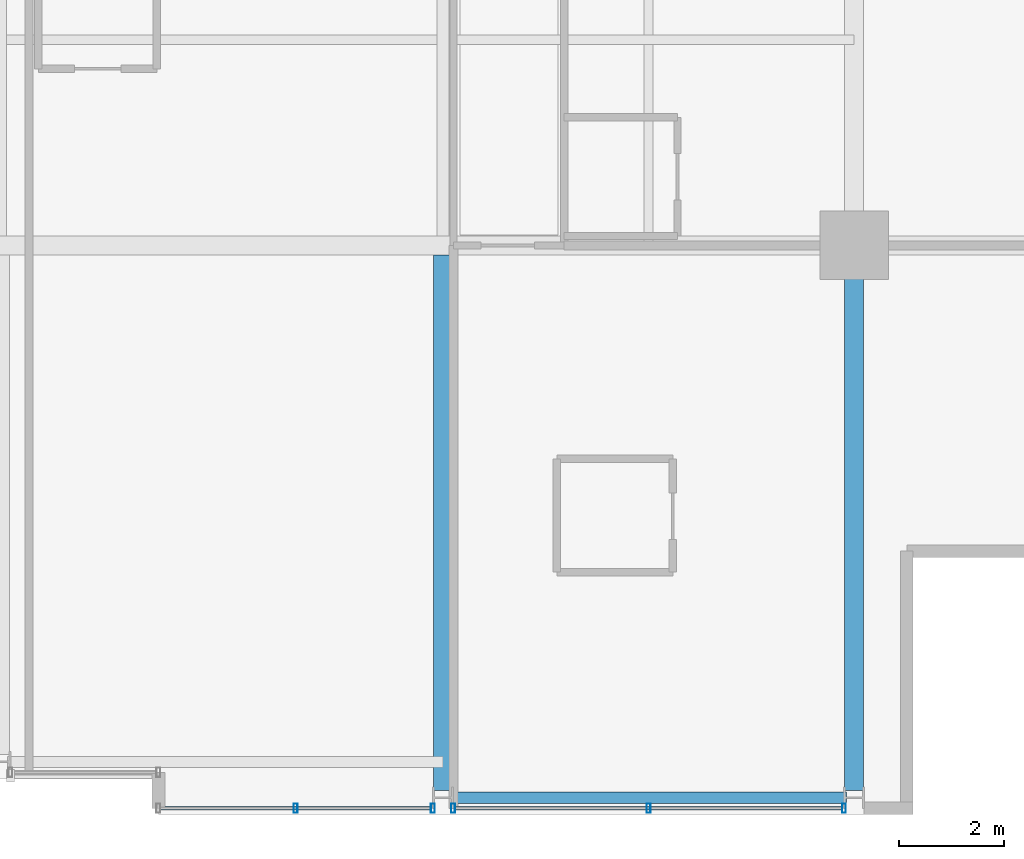
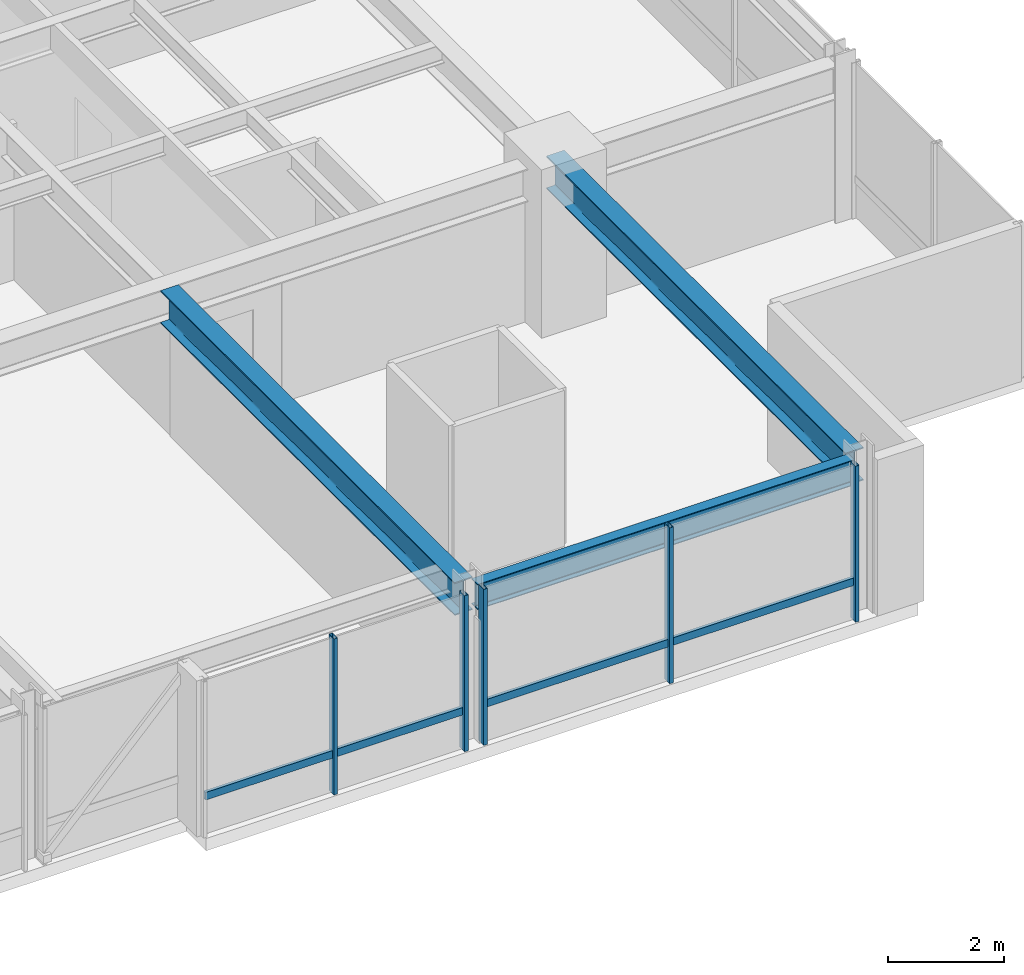
# One storey, part 11 of 32: 7 members, 3 beams, 2 elements without a shape of their own.
"""IFC4 building model written with IfcOpenShell, lengths in metres."""

import ifcopenshell
import ifcopenshell.guid

model = None  # the IFC model being written
_history = None  # IfcOwnerHistory: only IFC2X3 demands one
_inside = {}  # id of a spatial element -> (the spatial element, [elements in it])
_under = {}  # id of a project, library or spatial element -> (it, [spatial elements below it])
_declared = {}  # id of a project -> (the project, [libraries it declares])
_typed = {}  # id of a type object -> (the type object, [elements of that type])
_made_of = {}  # id of a material, layer set ... -> (it, [elements and type objects made of it])


def new_model(schema):
    """Start an empty IFC model of exactly this schema.

    Asked for "IFC4X3", IfcOpenShell would pick the latest addendum, in which some entities
    have other attributes; the version numbers below select the first issue.
    IFC2X3 requires an IfcOwnerHistory on every rooted entity: one is made here for all.
    """
    global model, _history
    if schema == "IFC4X3":
        model = ifcopenshell.file(schema_version=(4, 3, 0, 0))
    else:
        model = ifcopenshell.file(schema=schema)
    _inside.clear()
    _under.clear()
    _declared.clear()
    _typed.clear()
    _made_of.clear()
    _history = None
    if model.schema == "IFC2X3":
        org = make("IfcOrganization", Name="unknown")
        user = make(
            "IfcPersonAndOrganization",
            ThePerson=make("IfcPerson", FamilyName="unknown"),
            TheOrganization=org,
        )
        app = make(
            "IfcApplication",
            ApplicationDeveloper=org,
            Version="unknown",
            ApplicationFullName="unknown",
            ApplicationIdentifier="unknown",
        )
        _history = make(
            "IfcOwnerHistory",
            OwningUser=user,
            OwningApplication=app,
            ChangeAction="ADDED",
            CreationDate=0,
        )
    return model


def make(cls, **values):
    """One entity of the class cls with the attributes given. An attribute that is None is left unset."""
    return model.create_entity(
        cls, **{name: value for name, value in values.items() if value is not None}
    )


def rooted(cls, **values):
    """An entity with a GlobalId (a new one), such as an element, a storey or a relation."""
    return make(cls, GlobalId=ifcopenshell.guid.new(), OwnerHistory=_history, **values)


def si_unit(unit_type, name, prefix=None):
    """IfcSIUnit, for example si_unit("LENGTHUNIT", "METRE", prefix="MILLI")."""
    return make("IfcSIUnit", UnitType=unit_type, Prefix=prefix, Name=name)


def assignment(units):
    """IfcUnitAssignment: the units of a project."""
    return None if units is None else make("IfcUnitAssignment", Units=units)


def point(xyz):
    """IfcCartesianPoint."""
    return None if xyz is None else make("IfcCartesianPoint", Coordinates=xyz)


def direction(xyz):
    """IfcDirection."""
    return None if xyz is None else make("IfcDirection", DirectionRatios=xyz)


def frame(location, z_axis=None, x_axis=None):
    """IfcAxis2Placement3D, a coordinate frame: its origin and axes. An axis left out is left unset."""
    return make(
        "IfcAxis2Placement3D",
        Location=point(location),
        Axis=direction(z_axis),
        RefDirection=direction(x_axis),
    )


def frame_2d(location, x_axis=None):
    """IfcAxis2Placement2D, a coordinate frame in the plane: its origin and x axis."""
    return make(
        "IfcAxis2Placement2D", Location=point(location), RefDirection=direction(x_axis)
    )


def origin():
    """The frame at (0, 0, 0) with its axes left unset."""
    return frame((0.0, 0.0, 0.0))


def origin_2d():
    """The frame at (0, 0) in the plane with its x axis left unset."""
    return frame_2d((0.0, 0.0))


def place(relative_to, where):
    """IfcLocalPlacement: puts the frame where relative to a parent placement (None: the world)."""
    return make(
        "IfcLocalPlacement", PlacementRelTo=relative_to, RelativePlacement=where
    )


def context(
    kind, dimensions, precision=None, world=None, true_north=None, identifier=None
):
    """IfcGeometricRepresentationContext, for example the 3D "Model" context."""
    return make(
        "IfcGeometricRepresentationContext",
        ContextIdentifier=identifier,
        ContextType=kind,
        CoordinateSpaceDimension=dimensions,
        Precision=precision,
        WorldCoordinateSystem=world,
        TrueNorth=true_north,
    )


def subcontext(parent, identifier, kind, view, scale=None):
    """IfcGeometricRepresentationSubContext, for example "Body" below "Model"."""
    return make(
        "IfcGeometricRepresentationSubContext",
        ContextIdentifier=identifier,
        ContextType=kind,
        ParentContext=parent,
        TargetScale=scale,
        TargetView=view,
    )


def project(units=None, contexts=None):
    """IfcProject with its units and contexts."""
    return rooted(
        "IfcProject",
        Name="project",
        RepresentationContexts=contexts,
        UnitsInContext=assignment(units),
    )


def spatial(cls, under=None, at=None, **own):
    """A site, building, storey or space (cls), placed at a placement, below another one or the project."""
    s = rooted(cls, ObjectPlacement=at, **own)
    if under is not None:
        _under.setdefault(under.id(), (under, []))[1].append(s)
    return s


def profile(cls, at=None, kind="AREA", **sizes):
    """A parametric profile (cls). Its sizes go by their IFC names, for example OverallWidth=200.0."""
    return make(cls, ProfileType=kind, Position=at, **sizes)


def hollow_rectangle(**sizes):
    """IfcRectangleHollowProfileDef."""
    return profile("IfcRectangleHollowProfileDef", **sizes)


def i_section(**sizes):
    """IfcIShapeProfileDef."""
    return profile("IfcIShapeProfileDef", **sizes)


def extrude(swept, where, along, depth):
    """IfcExtrudedAreaSolid: the profile swept, set in the frame where, extruded along a direction by depth."""
    return make(
        "IfcExtrudedAreaSolid",
        SweptArea=swept,
        Position=where,
        ExtrudedDirection=direction(along),
        Depth=depth,
    )


def shape(context_of_items, identifier, shape_type, items):
    """IfcShapeRepresentation: the items that make up one representation, for example the "Body"."""
    return make(
        "IfcShapeRepresentation",
        ContextOfItems=context_of_items,
        RepresentationIdentifier=identifier,
        RepresentationType=shape_type,
        Items=items,
    )


def material(Name=None, Category=None):
    """IfcMaterial."""
    return make("IfcMaterial", Name=Name, Category=Category)


def layer(
    of_material, thickness, ventilated=None, Name=None, Category=None, Priority=None
):
    """IfcMaterialLayer: one layer of a wall or slab, of a material (None: an air gap)."""
    return make(
        "IfcMaterialLayer",
        Material=of_material,
        LayerThickness=thickness,
        IsVentilated=ventilated,
        Name=Name,
        Category=Category,
        Priority=Priority,
    )


def layer_set(layers, Name=None):
    """IfcMaterialLayerSet."""
    return make("IfcMaterialLayerSet", MaterialLayers=layers, LayerSetName=Name)


def material_profile(
    of_material, cross_section, Name=None, Category=None, Priority=None
):
    """IfcMaterialProfile: a cross section and its material."""
    return make(
        "IfcMaterialProfile",
        Name=Name,
        Material=of_material,
        Profile=cross_section,
        Priority=Priority,
        Category=Category,
    )


def profile_set(profiles, Name=None, composite=None):
    """IfcMaterialProfileSet."""
    return make(
        "IfcMaterialProfileSet",
        Name=Name,
        MaterialProfiles=profiles,
        CompositeProfile=composite,
    )


def made_of(thing, what):
    """Note that an element or type object is made of a material, layer set ...; save() writes the relation."""
    if what is not None:
        _made_of.setdefault(what.id(), (what, []))[1].append(thing)
    return thing


def type_object(cls, material=None, **own):
    """A type object (cls), such as IfcWallType, which elements share."""
    return made_of(rooted(cls, **own), material)


def element(
    cls,
    number,
    at=None,
    inside=None,
    cuts=None,
    type_object=None,
    material=None,
    context=None,
    identifier="Body",
    shape_type=None,
    held_by="IfcProductDefinitionShape",
    body=None,
    shapes=None,
    **own,
):
    """One element of the class cls, such as IfcWall. Its Tag is "e" and its number.

    at: its placement. inside: the storey or other place that contains it. cuts: it is an
    opening in that element (IfcRelVoidsElement). A single representation is given by context,
    identifier, shape_type and body (its items); several are given by shapes. held_by: the class
    of the entity that holds the representations. save() writes the other relations.
    """
    e = rooted(cls, Tag="e%d" % number, ObjectPlacement=at, **own)
    if body is not None:
        shapes = [shape(context, identifier, shape_type, body)]
    if shapes is not None:
        e.Representation = make(held_by, Representations=shapes)
    if inside is not None:
        _inside.setdefault(inside.id(), (inside, []))[1].append(e)
    if cuts is not None:
        rooted(
            "IfcRelVoidsElement", RelatingBuildingElement=cuts, RelatedOpeningElement=e
        )
    if type_object is not None:
        _typed.setdefault(type_object.id(), (type_object, []))[1].append(e)
    return made_of(e, material)


def aggregate(whole, parts):
    """IfcRelAggregates: a whole, such as a stair, and the parts it consists of."""
    return rooted("IfcRelAggregates", RelatingObject=whole, RelatedObjects=parts)


def save(model, path):
    """Write the relations noted so far, then the file.

    IfcRelAggregates (storeys below a building ...), IfcRelContainedInSpatialStructure (elements
    in a storey), IfcRelDefinesByType, IfcRelAssociatesMaterial and IfcRelDeclares: one each for
    every whole, place, type object, material and project.
    """
    for whole, parts in _under.values():
        aggregate(whole, parts)
    for where, things in _inside.values():
        rooted(
            "IfcRelContainedInSpatialStructure",
            RelatedElements=things,
            RelatingStructure=where,
        )
    for kind, things in _typed.values():
        rooted("IfcRelDefinesByType", RelatedObjects=things, RelatingType=kind)
    for what, things in _made_of.values():
        rooted("IfcRelAssociatesMaterial", RelatedObjects=things, RelatingMaterial=what)
    for by, libraries in _declared.values():
        rooted("IfcRelDeclares", RelatingContext=by, RelatedDefinitions=libraries)
    model.write(path)


model = new_model("IFC4")

# Units and contexts
model_context = context("Model", 3, precision=1e-05, world=origin(), true_north=direction((0.0, 1.0)))
body_context = subcontext(model_context, "Body", "Model", "MODEL_VIEW")
ifc_project = project(units=[si_unit("LENGTHUNIT", "METRE"), si_unit("AREAUNIT", "SQUARE_METRE"), si_unit("VOLUMEUNIT", "CUBIC_METRE"), si_unit("PLANEANGLEUNIT", "RADIAN"), si_unit("MASSUNIT", "GRAM", prefix="KILO")], contexts=[model_context])

# Site, building, storey
site_placement = place(None, origin())
site = spatial("IfcSite", under=ifc_project, at=site_placement, CompositionType="ELEMENT")
building_placement = place(site_placement, origin())
building = spatial("IfcBuilding", under=site, at=building_placement, Name="Drelvath Grand Hotel", CompositionType="ELEMENT")
storey_placement = place(building_placement, frame((0.0, 0.0, 182.35009765625)))
storey = spatial("IfcBuildingStorey", under=building, at=storey_placement, Name="L47", CompositionType="ELEMENT", Elevation=182.35009765625)

# Curtain wall, member
ifc_material_1 = material(Name="Brushed Pale-Silver Anodised Aluminium Frame", Category="aluminium")
ifc_layer = layer(ifc_material_1, 0.199951171875)
ifc_layer_set = layer_set([ifc_layer], Name="Brushed Pale-Silver Anodised Aluminium Frame")
curtain_wall_type = type_object("IfcCurtainWallType", Name="Stick Curtain Wall CW-04 Brushed Silver Upper-Mid", PredefinedType="NOTDEFINED", material=ifc_layer_set)
curtain_wall_1_placement = place(storey_placement, origin())
curtain_wall_1 = element("IfcCurtainWall", 1, at=curtain_wall_1_placement, inside=storey, type_object=curtain_wall_type, Name="L47 CW-04 Curtain Wall CW04-L47-SE1", PredefinedType="NOTDEFINED")
ifc_material_profile_1 = material_profile(ifc_material_1, hollow_rectangle(XDim=0.06494140625, YDim=0.159912109375, WallThickness=0.00390625, at=origin_2d()), Name="HSS160X65X4")
ifc_profile_set_1 = profile_set([ifc_material_profile_1], Name="Brushed Pale-Silver Anodised Aluminium Frame")
member_type_1 = type_object("IfcMemberType", Name="Curtain Wall Horizontal Transom CW-04 HSS160X65X4", PredefinedType="USERDEFINED", material=ifc_profile_set_1)
member_1_placement = place(storey_placement, frame((8.168212890625, 0.1201171875, 0.822509765625), z_axis=(-1.0, 0.0, 0.0), x_axis=(0.0, -1.0, 0.0)))
member_1 = element("IfcMember", 2, at=member_1_placement, type_object=member_type_1, Name="CW04-L47-SE1 Sill Transom", ObjectType="TRANSOM", PredefinedType="USERDEFINED", context=body_context, shape_type="SweptSolid", body=[
    extrude(hollow_rectangle(XDim=0.06494140625, YDim=0.159912109375, WallThickness=0.00390625, at=origin_2d()), origin(), (0.0, 0.0, 1.0), 5.128173828125),
])

curtain_wall_2_placement = place(storey_placement, origin())
curtain_wall_2 = element("IfcCurtainWall", 3, at=curtain_wall_2_placement, inside=storey, type_object=curtain_wall_type, Name="L47 CW-04 Curtain Wall CW04-L47-SE2", PredefinedType="NOTDEFINED")
member_2_placement = place(storey_placement, frame((15.968505859375, 0.1201171875, 0.822509765625), z_axis=(-1.0, 0.0, 0.0), x_axis=(0.0, -1.0, 0.0)))
member_2 = element("IfcMember", 4, at=member_2_placement, type_object=member_type_1, Name="CW04-L47-SE2 Sill Transom", ObjectType="TRANSOM", PredefinedType="USERDEFINED", context=body_context, shape_type="SweptSolid", body=[
    extrude(hollow_rectangle(XDim=0.06494140625, YDim=0.159912109375, WallThickness=0.00390625, at=origin_2d()), origin(), (0.0, 0.0, 1.0), 7.3369140625),
])

# Member
ifc_material_profile_2 = material_profile(ifc_material_1, hollow_rectangle(XDim=0.074951171875, YDim=0.179931640625, WallThickness=0.0048828125, at=origin_2d()), Name="HSS180X75X5")
ifc_profile_set_2 = profile_set([ifc_material_profile_2], Name="Brushed Pale-Silver Anodised Aluminium Frame")
member_type_2 = type_object("IfcMemberType", Name="Curtain Wall Vertical Mullion CW-04 HSS180X75X5", PredefinedType="MULLION", material=ifc_profile_set_2)
member_3_placement = place(storey_placement, frame((8.208251953125, 0.1201171875, 0.0), z_axis=(0.0, 0.0, 1.0), x_axis=(1.0, 0.0, 0.0)))
member_3 = element("IfcMember", 5, at=member_3_placement, type_object=member_type_2, Name="CW04-L47-SE1 Mullion 1", PredefinedType="MULLION", context=body_context, shape_type="SweptSolid", body=[
    extrude(hollow_rectangle(XDim=0.074951171875, YDim=0.179931640625, WallThickness=0.0048828125, at=origin_2d()), origin(), (0.0, 0.0, 1.0), 3.289794921875),
])

member_4_placement = place(storey_placement, frame((5.60400390625, 0.1201171875, 0.0), z_axis=(0.0, 0.0, 1.0), x_axis=(1.0, 0.0, 0.0)))
member_4 = element("IfcMember", 6, at=member_4_placement, type_object=member_type_2, Name="CW04-L47-SE1 Mullion 2", PredefinedType="MULLION", context=body_context, shape_type="SweptSolid", body=[
    extrude(hollow_rectangle(XDim=0.074951171875, YDim=0.179931640625, WallThickness=0.0048828125, at=origin_2d()), origin(), (0.0, 0.0, 1.0), 3.289794921875),
])

aggregate(curtain_wall_1, [member_3, member_4, member_1])

member_5_placement = place(storey_placement, frame((16.00830078125, 0.1201171875, 0.0), z_axis=(0.0, 0.0, 1.0), x_axis=(1.0, 0.0, 0.0)))
member_5 = element("IfcMember", 7, at=member_5_placement, type_object=member_type_2, Name="CW04-L47-SE2 Mullion 1", PredefinedType="MULLION", context=body_context, shape_type="SweptSolid", body=[
    extrude(hollow_rectangle(XDim=0.074951171875, YDim=0.179931640625, WallThickness=0.0048828125, at=origin_2d()), origin(), (0.0, 0.0, 1.0), 3.289794921875),
])

member_6_placement = place(storey_placement, frame((12.300048828125, 0.1201171875, 0.0), z_axis=(0.0, 0.0, 1.0), x_axis=(1.0, 0.0, 0.0)))
member_6 = element("IfcMember", 8, at=member_6_placement, type_object=member_type_2, Name="CW04-L47-SE2 Mullion 2", PredefinedType="MULLION", context=body_context, shape_type="SweptSolid", body=[
    extrude(hollow_rectangle(XDim=0.074951171875, YDim=0.179931640625, WallThickness=0.0048828125, at=origin_2d()), origin(), (0.0, 0.0, 1.0), 3.289794921875),
])

member_7_placement = place(storey_placement, frame((8.591796875, 0.1201171875, 0.0), z_axis=(0.0, 0.0, 1.0), x_axis=(1.0, 0.0, 0.0)))
member_7 = element("IfcMember", 9, at=member_7_placement, type_object=member_type_2, Name="CW04-L47-SE2 Mullion 3", PredefinedType="MULLION", context=body_context, shape_type="SweptSolid", body=[
    extrude(hollow_rectangle(XDim=0.074951171875, YDim=0.179931640625, WallThickness=0.0048828125, at=origin_2d()), origin(), (0.0, 0.0, 1.0), 3.289794921875),
])

aggregate(curtain_wall_2, [member_5, member_6, member_7, member_2])

# Beams
ifc_material_2 = material(Name="Steel ASTM A992 Gr 50", Category="steel")
ifc_material_profile_3 = material_profile(ifc_material_2, i_section(OverallWidth=0.210205078125, OverallDepth=0.53662109375, WebThickness=0.010986328125, FlangeThickness=0.017333984375, FilletRadius=0.01806640625, at=origin_2d()), Name="W21X68")
ifc_profile_set_3 = profile_set([ifc_material_profile_3], Name="Steel ASTM A992 Gr 50")
beam_type_1 = type_object("IfcBeamType", Name="Perimeter Spandrel Beam W21X68", PredefinedType="SPANDREL", material=ifc_profile_set_3)
beam_1_placement = place(storey_placement, frame((8.5400390625, 0.320068359375, 3.021484375), z_axis=(1.0, 0.0, 0.0), x_axis=(0.0, 1.0, 0.0)))
element("IfcBeam", 10, at=beam_1_placement, inside=storey, type_object=beam_type_1, Name="L47 Spandrel South E", PredefinedType="SPANDREL", context=body_context, shape_type="SweptSolid", body=[
    extrude(i_section(OverallWidth=0.210205078125, OverallDepth=0.53662109375, WebThickness=0.010986328125, FlangeThickness=0.017333984375, FilletRadius=0.01806640625, at=origin_2d()), origin(), (0.0, 0.0, 1.0), 7.52001953125),
])
ifc_material_profile_4 = material_profile(ifc_material_2, i_section(OverallWidth=0.354736328125, OverallDepth=0.695556640625, WebThickness=0.015380859375, FlangeThickness=0.025146484375, FilletRadius=0.02392578125, at=origin_2d()), Name="W27X146")
ifc_profile_set_4 = profile_set([ifc_material_profile_4], Name="Steel ASTM A992 Gr 50")
beam_type_2 = type_object("IfcBeamType", Name="Primary Floor Girder W27X146", PredefinedType="BEAM", material=ifc_profile_set_4)
beam_2_placement = place(storey_placement, frame((16.199951171875, 0.4599609375, 2.942138671875), z_axis=(0.0, 1.0, 0.0), x_axis=(-1.0, 0.0, 0.0)))
element("IfcBeam", 11, at=beam_2_placement, inside=storey, type_object=beam_type_2, Name="L47 South Grid Girder 7", PredefinedType="BEAM", context=body_context, shape_type="SweptSolid", body=[
    extrude(i_section(OverallWidth=0.354736328125, OverallDepth=0.695556640625, WebThickness=0.015380859375, FlangeThickness=0.025146484375, FilletRadius=0.02392578125, at=origin_2d()), origin(), (0.0, 0.0, 1.0), 10.340087890625),
])
beam_3_placement = place(storey_placement, frame((8.39990234375, 0.4599609375, 2.942138671875), z_axis=(0.0, 1.0, 0.0), x_axis=(-1.0, 0.0, 0.0)))
element("IfcBeam", 12, at=beam_3_placement, inside=storey, type_object=beam_type_2, Name="L47 South Wing Girder 6", PredefinedType="BEAM", context=body_context, shape_type="SweptSolid", body=[
    extrude(i_section(OverallWidth=0.354736328125, OverallDepth=0.695556640625, WebThickness=0.015380859375, FlangeThickness=0.025146484375, FilletRadius=0.02392578125, at=origin_2d()), origin(), (0.0, 0.0, 1.0), 10.16259765625),
])

save(model, "model.ifc")
